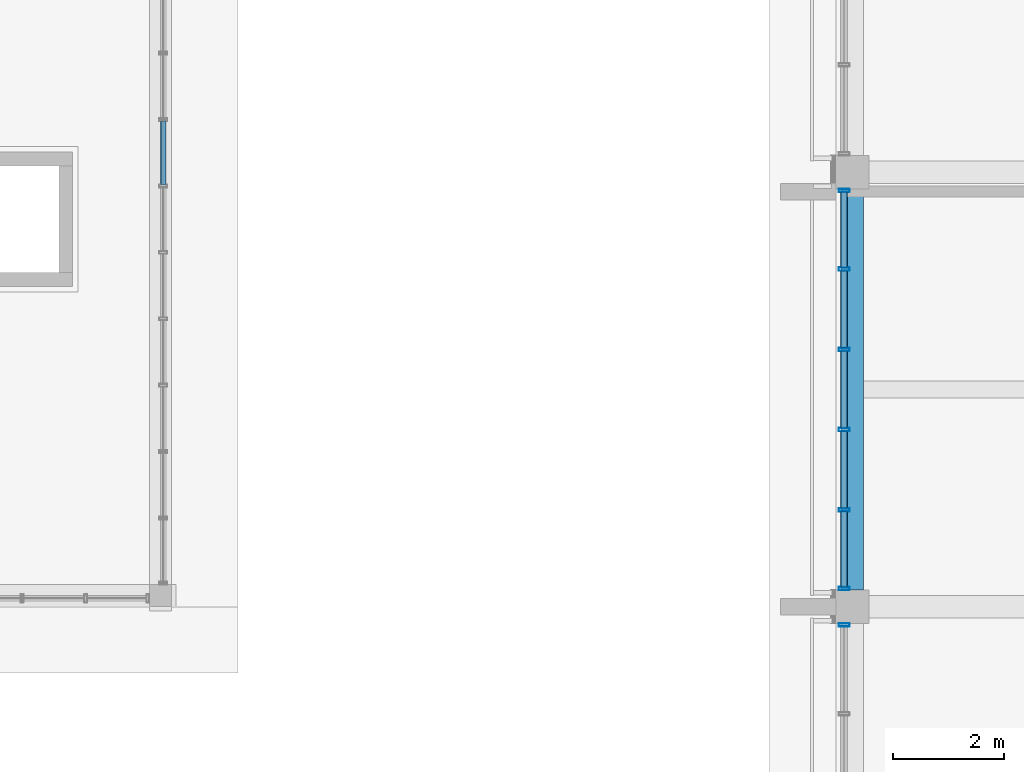
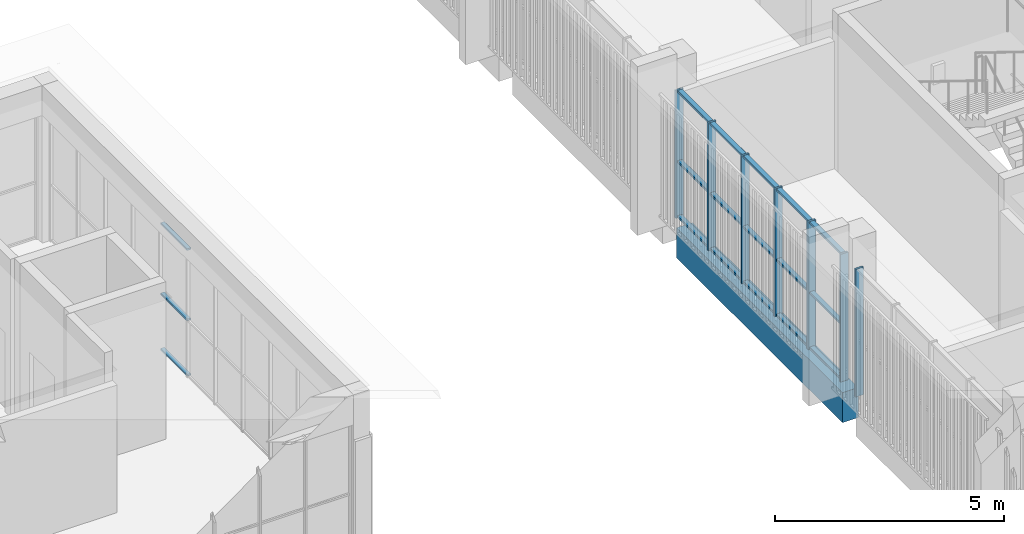
# One storey, part 28 of 92: 25 members, 1 beam, 3 elements without a shape of their own.
"""IFC4 building model written with IfcOpenShell, lengths in metres."""

from ifc_helpers import new_model, si_unit, direction, frame, origin, origin_2d, place, context, subcontext, project, spatial, rectangle, hollow_rectangle, extrude, material, material_profile, profile_set, type_object, element, aggregate, save


model = new_model("IFC4")

# Units and contexts
model_context = context("Model", 3, precision=1e-05, world=origin(), true_north=direction((0.0, 1.0)))
body_context = subcontext(model_context, "Body", "Model", "MODEL_VIEW")
ifc_project = project(units=[si_unit("LENGTHUNIT", "METRE"), si_unit("AREAUNIT", "SQUARE_METRE"), si_unit("VOLUMEUNIT", "CUBIC_METRE"), si_unit("PLANEANGLEUNIT", "RADIAN"), si_unit("MASSUNIT", "GRAM", prefix="KILO")], contexts=[model_context])

# Site, building, storey
site_placement = place(None, origin())
site = spatial("IfcSite", under=ifc_project, at=site_placement, CompositionType="ELEMENT")
building_placement = place(site_placement, origin())
building = spatial("IfcBuilding", under=site, at=building_placement, Name="Sun Court Science Centre", CompositionType="ELEMENT")
storey_placement = place(building_placement, frame((0.0, 0.0, 11.25)))
storey = spatial("IfcBuildingStorey", under=building, at=storey_placement, Name="L02", CompositionType="ELEMENT", Elevation=11.25)

# Curtain wall, member
ifc_material_1 = material(Name="Aluminium EN AW-6063 T6", Category="aluminium")
curtain_wall_type_1 = type_object("IfcCurtainWallType", Name="Laboratory tall bay curtain wall 1500", PredefinedType="NOTDEFINED", material=ifc_material_1)
curtain_wall_1_placement = place(storey_placement, origin())
curtain_wall_1 = element("IfcCurtainWall", 1, at=curtain_wall_1_placement, inside=storey, type_object=curtain_wall_type_1, Name="Curtain wall V4 W L02 03", PredefinedType="NOTDEFINED")
ifc_material_2 = material(Name="Aluminium EN AW-6063 T6", Category="aluminium")
ifc_material_profile_1 = material_profile(ifc_material_2, hollow_rectangle(XDim=0.06005859375, YDim=0.199951171875, WallThickness=0.0048828125, InnerFilletRadius=0.0048828125, OuterFilletRadius=0.007568359375, at=origin_2d()), Name="AL 60x200x5")
ifc_profile_set_1 = profile_set([ifc_material_profile_1], Name="Aluminium EN AW-6063 T6")
member_type_1 = type_object("IfcMemberType", Name="Curtain wall mullion AL 60x200", PredefinedType="MULLION", material=ifc_profile_set_1)
member_1_placement = place(storey_placement, frame((78.14990234375, 35.669921875, 0.0), z_axis=(0.0, 0.0, 1.0), x_axis=(0.0, 1.0, 0.0)))
member_1 = element("IfcMember", 2, at=member_1_placement, type_object=member_type_1, Name="CW2-21 mullion 5", PredefinedType="MULLION", context=body_context, shape_type="SweptSolid", body=[
    extrude(hollow_rectangle(XDim=0.06005859375, YDim=0.199951171875, WallThickness=0.0048828125, InnerFilletRadius=0.0048828125, OuterFilletRadius=0.007568359375, at=origin_2d()), origin(), (0.0, 0.0, 1.0), 3.39990234375),
])
aggregate(curtain_wall_1, [member_1])

# Curtain wall, members
curtain_wall_2_placement = place(storey_placement, origin())
curtain_wall_2 = element("IfcCurtainWall", 3, at=curtain_wall_2_placement, inside=storey, type_object=curtain_wall_type_1, Name="Curtain wall V4 W L02 04", PredefinedType="NOTDEFINED")
member_2_placement = place(storey_placement, frame((78.14990234375, 36.330078125, 0.0), z_axis=(0.0, 0.0, 1.0), x_axis=(0.0, 1.0, 0.0)))
member_2 = element("IfcMember", 4, at=member_2_placement, type_object=member_type_1, Name="CW2-22 mullion 1", PredefinedType="MULLION", context=body_context, shape_type="SweptSolid", body=[
    extrude(hollow_rectangle(XDim=0.06005859375, YDim=0.199951171875, WallThickness=0.0048828125, InnerFilletRadius=0.0048828125, OuterFilletRadius=0.007568359375, at=origin_2d()), origin(), (0.0, 0.0, 1.0), 3.39990234375),
])
member_3_placement = place(storey_placement, frame((78.14990234375, 37.75, 0.0), z_axis=(0.0, 0.0, 1.0), x_axis=(0.0, 1.0, 0.0)))
member_3 = element("IfcMember", 5, at=member_3_placement, type_object=member_type_1, Name="CW2-22 mullion 2", PredefinedType="MULLION", context=body_context, shape_type="SweptSolid", body=[
    extrude(hollow_rectangle(XDim=0.06005859375, YDim=0.199951171875, WallThickness=0.0048828125, InnerFilletRadius=0.0048828125, OuterFilletRadius=0.007568359375, at=origin_2d()), origin(), (0.0, 0.0, 1.0), 3.39990234375),
])
member_4_placement = place(storey_placement, frame((78.14990234375, 39.199951171875, 0.0), z_axis=(0.0, 0.0, 1.0), x_axis=(0.0, 1.0, 0.0)))
member_4 = element("IfcMember", 6, at=member_4_placement, type_object=member_type_1, Name="CW2-22 mullion 3", PredefinedType="MULLION", context=body_context, shape_type="SweptSolid", body=[
    extrude(hollow_rectangle(XDim=0.06005859375, YDim=0.199951171875, WallThickness=0.0048828125, InnerFilletRadius=0.0048828125, OuterFilletRadius=0.007568359375, at=origin_2d()), origin(), (0.0, 0.0, 1.0), 3.39990234375),
])
member_5_placement = place(storey_placement, frame((78.14990234375, 40.64990234375, 0.0), z_axis=(0.0, 0.0, 1.0), x_axis=(0.0, 1.0, 0.0)))
member_5 = element("IfcMember", 7, at=member_5_placement, type_object=member_type_1, Name="CW2-22 mullion 4", PredefinedType="MULLION", context=body_context, shape_type="SweptSolid", body=[
    extrude(hollow_rectangle(XDim=0.06005859375, YDim=0.199951171875, WallThickness=0.0048828125, InnerFilletRadius=0.0048828125, OuterFilletRadius=0.007568359375, at=origin_2d()), origin(), (0.0, 0.0, 1.0), 3.39990234375),
])
member_6_placement = place(storey_placement, frame((78.14990234375, 42.10009765625, 0.0), z_axis=(0.0, 0.0, 1.0), x_axis=(0.0, 1.0, 0.0)))
member_6 = element("IfcMember", 8, at=member_6_placement, type_object=member_type_1, Name="CW2-22 mullion 5", PredefinedType="MULLION", context=body_context, shape_type="SweptSolid", body=[
    extrude(hollow_rectangle(XDim=0.06005859375, YDim=0.199951171875, WallThickness=0.0048828125, InnerFilletRadius=0.0048828125, OuterFilletRadius=0.007568359375, at=origin_2d()), origin(), (0.0, 0.0, 1.0), 3.39990234375),
])
member_7_placement = place(storey_placement, frame((78.14990234375, 43.52001953125, 0.0), z_axis=(0.0, 0.0, 1.0), x_axis=(0.0, 1.0, 0.0)))
member_7 = element("IfcMember", 9, at=member_7_placement, type_object=member_type_1, Name="CW2-22 mullion 6", PredefinedType="MULLION", context=body_context, shape_type="SweptSolid", body=[
    extrude(hollow_rectangle(XDim=0.06005859375, YDim=0.199951171875, WallThickness=0.0048828125, InnerFilletRadius=0.0048828125, OuterFilletRadius=0.007568359375, at=origin_2d()), origin(), (0.0, 0.0, 1.0), 3.39990234375),
])

ifc_material_3 = material(Name="Aluminium EN AW-6063 T6", Category="aluminium")
curtain_wall_type_2 = type_object("IfcCurtainWallType", Name="Pavilion curtain wall 1200", PredefinedType="NOTDEFINED", material=ifc_material_3)
curtain_wall_3_placement = place(storey_placement, origin())
curtain_wall_3 = element("IfcCurtainWall", 10, at=curtain_wall_3_placement, inside=storey, type_object=curtain_wall_type_2, Name="Curtain wall V5 E L02 01", PredefinedType="NOTDEFINED")
ifc_material_4 = material(Name="Aluminium EN AW-6063 T6", Category="aluminium")
ifc_material_profile_2 = material_profile(ifc_material_4, hollow_rectangle(XDim=0.050048828125, YDim=0.10009765625, WallThickness=0.00390625, InnerFilletRadius=0.00390625, OuterFilletRadius=0.006103515625, at=origin_2d()), Name="AL 50x100x4")
ifc_profile_set_2 = profile_set([ifc_material_profile_2], Name="Aluminium EN AW-6063 T6")
member_type_2 = type_object("IfcMemberType", Name="Curtain wall transom AL 50x100", PredefinedType="USERDEFINED", material=ifc_profile_set_2)
member_8_placement = place(storey_placement, frame((65.85009765625, 44.77490234375, 0.02490234375), z_axis=(0.0, -1.0, 0.0), x_axis=(0.0, 0.0, 1.0)))
member_8 = element("IfcMember", 11, at=member_8_placement, type_object=member_type_2, Name="CW3-22 transom 5.1", ObjectType="TRANSOM", PredefinedType="USERDEFINED", context=body_context, shape_type="SweptSolid", body=[
    extrude(hollow_rectangle(XDim=0.050048828125, YDim=0.10009765625, WallThickness=0.00390625, InnerFilletRadius=0.00390625, OuterFilletRadius=0.006103515625, at=origin_2d()), origin(), (0.0, 0.0, 1.0), 1.14990234375),
])
member_9_placement = place(storey_placement, frame((65.85009765625, 44.77490234375, 1.5), z_axis=(0.0, -1.0, 0.0), x_axis=(0.0, 0.0, 1.0)))
member_9 = element("IfcMember", 12, at=member_9_placement, type_object=member_type_2, Name="CW3-22 transom 5.2", ObjectType="TRANSOM", PredefinedType="USERDEFINED", context=body_context, shape_type="SweptSolid", body=[
    extrude(hollow_rectangle(XDim=0.050048828125, YDim=0.10009765625, WallThickness=0.00390625, InnerFilletRadius=0.00390625, OuterFilletRadius=0.006103515625, at=origin_2d()), origin(), (0.0, 0.0, 1.0), 1.14990234375),
])
member_10_placement = place(storey_placement, frame((65.85009765625, 44.77490234375, 3.375), z_axis=(0.0, -1.0, 0.0), x_axis=(0.0, 0.0, 1.0)))
member_10 = element("IfcMember", 13, at=member_10_placement, type_object=member_type_2, Name="CW3-22 transom 5.3", ObjectType="TRANSOM", PredefinedType="USERDEFINED", context=body_context, shape_type="SweptSolid", body=[
    extrude(hollow_rectangle(XDim=0.050048828125, YDim=0.10009765625, WallThickness=0.00390625, InnerFilletRadius=0.00390625, OuterFilletRadius=0.006103515625, at=origin_2d()), origin(), (0.0, 0.0, 1.0), 1.14990234375),
])
aggregate(curtain_wall_3, [member_8, member_9, member_10])

# Member
ifc_material_5 = material(Name="Aluminium EN AW-6063 T6", Category="aluminium")
ifc_material_profile_3 = material_profile(ifc_material_5, hollow_rectangle(XDim=0.06005859375, YDim=0.1201171875, WallThickness=0.00390625, InnerFilletRadius=0.00390625, OuterFilletRadius=0.006103515625, at=origin_2d()), Name="AL 60x120x4")
ifc_profile_set_3 = profile_set([ifc_material_profile_3], Name="Aluminium EN AW-6063 T6")
member_type_3 = type_object("IfcMemberType", Name="Curtain wall transom AL 60x120", PredefinedType="USERDEFINED", material=ifc_profile_set_3)
member_11_placement = place(storey_placement, frame((78.14990234375, 36.360107421875, 0.030029296875), z_axis=(0.0, 1.0, 0.0), x_axis=(0.0, 0.0, 1.0)))
member_11 = element("IfcMember", 14, at=member_11_placement, type_object=member_type_3, Name="CW2-22 transom 1.1", ObjectType="TRANSOM", PredefinedType="USERDEFINED", context=body_context, shape_type="SweptSolid", body=[
    extrude(hollow_rectangle(XDim=0.06005859375, YDim=0.1201171875, WallThickness=0.00390625, InnerFilletRadius=0.00390625, OuterFilletRadius=0.006103515625, at=origin_2d()), origin(), (0.0, 0.0, 1.0), 1.35986328125),
])

member_12_placement = place(storey_placement, frame((78.14990234375, 37.780029296875, 0.030029296875), z_axis=(0.0, 1.0, 0.0), x_axis=(0.0, 0.0, 1.0)))
member_12 = element("IfcMember", 15, at=member_12_placement, type_object=member_type_3, Name="CW2-22 transom 2.1", ObjectType="TRANSOM", PredefinedType="USERDEFINED", context=body_context, shape_type="SweptSolid", body=[
    extrude(hollow_rectangle(XDim=0.06005859375, YDim=0.1201171875, WallThickness=0.00390625, InnerFilletRadius=0.00390625, OuterFilletRadius=0.006103515625, at=origin_2d()), origin(), (0.0, 0.0, 1.0), 1.389892578125),
])

member_13_placement = place(storey_placement, frame((78.14990234375, 39.22998046875, 0.030029296875), z_axis=(0.0, 1.0, 0.0), x_axis=(0.0, 0.0, 1.0)))
member_13 = element("IfcMember", 16, at=member_13_placement, type_object=member_type_3, Name="CW2-22 transom 3.1", ObjectType="TRANSOM", PredefinedType="USERDEFINED", context=body_context, shape_type="SweptSolid", body=[
    extrude(hollow_rectangle(XDim=0.06005859375, YDim=0.1201171875, WallThickness=0.00390625, InnerFilletRadius=0.00390625, OuterFilletRadius=0.006103515625, at=origin_2d()), origin(), (0.0, 0.0, 1.0), 1.39013671875),
])

member_14_placement = place(storey_placement, frame((78.14990234375, 40.679931640625, 0.030029296875), z_axis=(0.0, 1.0, 0.0), x_axis=(0.0, 0.0, 1.0)))
member_14 = element("IfcMember", 17, at=member_14_placement, type_object=member_type_3, Name="CW2-22 transom 4.1", ObjectType="TRANSOM", PredefinedType="USERDEFINED", context=body_context, shape_type="SweptSolid", body=[
    extrude(hollow_rectangle(XDim=0.06005859375, YDim=0.1201171875, WallThickness=0.00390625, InnerFilletRadius=0.00390625, OuterFilletRadius=0.006103515625, at=origin_2d()), origin(), (0.0, 0.0, 1.0), 1.39013671875),
])

member_15_placement = place(storey_placement, frame((78.14990234375, 42.1298828125, 0.030029296875), z_axis=(0.0, 1.0, 0.0), x_axis=(0.0, 0.0, 1.0)))
member_15 = element("IfcMember", 18, at=member_15_placement, type_object=member_type_3, Name="CW2-22 transom 5.1", ObjectType="TRANSOM", PredefinedType="USERDEFINED", context=body_context, shape_type="SweptSolid", body=[
    extrude(hollow_rectangle(XDim=0.06005859375, YDim=0.1201171875, WallThickness=0.00390625, InnerFilletRadius=0.00390625, OuterFilletRadius=0.006103515625, at=origin_2d()), origin(), (0.0, 0.0, 1.0), 1.360107421875),
])

member_16_placement = place(storey_placement, frame((78.14990234375, 36.360107421875, 1.5), z_axis=(0.0, 1.0, 0.0), x_axis=(0.0, 0.0, 1.0)))
member_16 = element("IfcMember", 19, at=member_16_placement, type_object=member_type_3, Name="CW2-22 transom 1.2", ObjectType="TRANSOM", PredefinedType="USERDEFINED", context=body_context, shape_type="SweptSolid", body=[
    extrude(hollow_rectangle(XDim=0.06005859375, YDim=0.1201171875, WallThickness=0.00390625, InnerFilletRadius=0.00390625, OuterFilletRadius=0.006103515625, at=origin_2d()), origin(), (0.0, 0.0, 1.0), 1.35986328125),
])

member_17_placement = place(storey_placement, frame((78.14990234375, 37.780029296875, 1.5), z_axis=(0.0, 1.0, 0.0), x_axis=(0.0, 0.0, 1.0)))
member_17 = element("IfcMember", 20, at=member_17_placement, type_object=member_type_3, Name="CW2-22 transom 2.2", ObjectType="TRANSOM", PredefinedType="USERDEFINED", context=body_context, shape_type="SweptSolid", body=[
    extrude(hollow_rectangle(XDim=0.06005859375, YDim=0.1201171875, WallThickness=0.00390625, InnerFilletRadius=0.00390625, OuterFilletRadius=0.006103515625, at=origin_2d()), origin(), (0.0, 0.0, 1.0), 1.389892578125),
])

member_18_placement = place(storey_placement, frame((78.14990234375, 39.22998046875, 1.5), z_axis=(0.0, 1.0, 0.0), x_axis=(0.0, 0.0, 1.0)))
member_18 = element("IfcMember", 21, at=member_18_placement, type_object=member_type_3, Name="CW2-22 transom 3.2", ObjectType="TRANSOM", PredefinedType="USERDEFINED", context=body_context, shape_type="SweptSolid", body=[
    extrude(hollow_rectangle(XDim=0.06005859375, YDim=0.1201171875, WallThickness=0.00390625, InnerFilletRadius=0.00390625, OuterFilletRadius=0.006103515625, at=origin_2d()), origin(), (0.0, 0.0, 1.0), 1.39013671875),
])

member_19_placement = place(storey_placement, frame((78.14990234375, 40.679931640625, 1.5), z_axis=(0.0, 1.0, 0.0), x_axis=(0.0, 0.0, 1.0)))
member_19 = element("IfcMember", 22, at=member_19_placement, type_object=member_type_3, Name="CW2-22 transom 4.2", ObjectType="TRANSOM", PredefinedType="USERDEFINED", context=body_context, shape_type="SweptSolid", body=[
    extrude(hollow_rectangle(XDim=0.06005859375, YDim=0.1201171875, WallThickness=0.00390625, InnerFilletRadius=0.00390625, OuterFilletRadius=0.006103515625, at=origin_2d()), origin(), (0.0, 0.0, 1.0), 1.39013671875),
])

member_20_placement = place(storey_placement, frame((78.14990234375, 42.1298828125, 1.5), z_axis=(0.0, 1.0, 0.0), x_axis=(0.0, 0.0, 1.0)))
member_20 = element("IfcMember", 23, at=member_20_placement, type_object=member_type_3, Name="CW2-22 transom 5.2", ObjectType="TRANSOM", PredefinedType="USERDEFINED", context=body_context, shape_type="SweptSolid", body=[
    extrude(hollow_rectangle(XDim=0.06005859375, YDim=0.1201171875, WallThickness=0.00390625, InnerFilletRadius=0.00390625, OuterFilletRadius=0.006103515625, at=origin_2d()), origin(), (0.0, 0.0, 1.0), 1.360107421875),
])

member_21_placement = place(storey_placement, frame((78.14990234375, 36.360107421875, 3.3701171875), z_axis=(0.0, 1.0, 0.0), x_axis=(0.0, 0.0, 1.0)))
member_21 = element("IfcMember", 24, at=member_21_placement, type_object=member_type_3, Name="CW2-22 transom 1.3", ObjectType="TRANSOM", PredefinedType="USERDEFINED", context=body_context, shape_type="SweptSolid", body=[
    extrude(hollow_rectangle(XDim=0.06005859375, YDim=0.1201171875, WallThickness=0.00390625, InnerFilletRadius=0.00390625, OuterFilletRadius=0.006103515625, at=origin_2d()), origin(), (0.0, 0.0, 1.0), 1.35986328125),
])

member_22_placement = place(storey_placement, frame((78.14990234375, 37.780029296875, 3.3701171875), z_axis=(0.0, 1.0, 0.0), x_axis=(0.0, 0.0, 1.0)))
member_22 = element("IfcMember", 25, at=member_22_placement, type_object=member_type_3, Name="CW2-22 transom 2.3", ObjectType="TRANSOM", PredefinedType="USERDEFINED", context=body_context, shape_type="SweptSolid", body=[
    extrude(hollow_rectangle(XDim=0.06005859375, YDim=0.1201171875, WallThickness=0.00390625, InnerFilletRadius=0.00390625, OuterFilletRadius=0.006103515625, at=origin_2d()), origin(), (0.0, 0.0, 1.0), 1.389892578125),
])

member_23_placement = place(storey_placement, frame((78.14990234375, 39.22998046875, 3.3701171875), z_axis=(0.0, 1.0, 0.0), x_axis=(0.0, 0.0, 1.0)))
member_23 = element("IfcMember", 26, at=member_23_placement, type_object=member_type_3, Name="CW2-22 transom 3.3", ObjectType="TRANSOM", PredefinedType="USERDEFINED", context=body_context, shape_type="SweptSolid", body=[
    extrude(hollow_rectangle(XDim=0.06005859375, YDim=0.1201171875, WallThickness=0.00390625, InnerFilletRadius=0.00390625, OuterFilletRadius=0.006103515625, at=origin_2d()), origin(), (0.0, 0.0, 1.0), 1.39013671875),
])

member_24_placement = place(storey_placement, frame((78.14990234375, 40.679931640625, 3.3701171875), z_axis=(0.0, 1.0, 0.0), x_axis=(0.0, 0.0, 1.0)))
member_24 = element("IfcMember", 27, at=member_24_placement, type_object=member_type_3, Name="CW2-22 transom 4.3", ObjectType="TRANSOM", PredefinedType="USERDEFINED", context=body_context, shape_type="SweptSolid", body=[
    extrude(hollow_rectangle(XDim=0.06005859375, YDim=0.1201171875, WallThickness=0.00390625, InnerFilletRadius=0.00390625, OuterFilletRadius=0.006103515625, at=origin_2d()), origin(), (0.0, 0.0, 1.0), 1.39013671875),
])

member_25_placement = place(storey_placement, frame((78.14990234375, 42.1298828125, 3.3701171875), z_axis=(0.0, 1.0, 0.0), x_axis=(0.0, 0.0, 1.0)))
member_25 = element("IfcMember", 28, at=member_25_placement, type_object=member_type_3, Name="CW2-22 transom 5.3", ObjectType="TRANSOM", PredefinedType="USERDEFINED", context=body_context, shape_type="SweptSolid", body=[
    extrude(hollow_rectangle(XDim=0.06005859375, YDim=0.1201171875, WallThickness=0.00390625, InnerFilletRadius=0.00390625, OuterFilletRadius=0.006103515625, at=origin_2d()), origin(), (0.0, 0.0, 1.0), 1.360107421875),
])

aggregate(curtain_wall_2, [member_2, member_3, member_4, member_5, member_6, member_7, member_11, member_12, member_13, member_14, member_15, member_16, member_17, member_18, member_19, member_20, member_21, member_22, member_23, member_24, member_25])

# Beam
ifc_material_6 = material(Name="Concrete C25/30", Category="concrete")
ifc_material_profile_4 = material_profile(ifc_material_6, rectangle(XDim=0.39990234375, YDim=0.800048828125, at=origin_2d()), Name="RC 400x800")
ifc_profile_set_4 = profile_set([ifc_material_profile_4], Name="Concrete C25/30")
beam_type = type_object("IfcBeamType", Name="RC girder 400x800", PredefinedType="BEAM", material=ifc_profile_set_4)
beam_placement = place(storey_placement, frame((78.300048828125, 36.300048828125, -0.699951171875), z_axis=(0.0, 1.0, 0.0), x_axis=(-1.0, 0.0, 0.0)))
element("IfcBeam", 29, at=beam_placement, inside=storey, type_object=beam_type, Name="Girder L02 line 1", PredefinedType="BEAM", context=body_context, shape_type="SweptSolid", body=[
    extrude(rectangle(XDim=0.39990234375, YDim=0.800048828125, at=origin_2d()), origin(), (0.0, 0.0, 1.0), 7.25),
])

save(model, "model.ifc")
